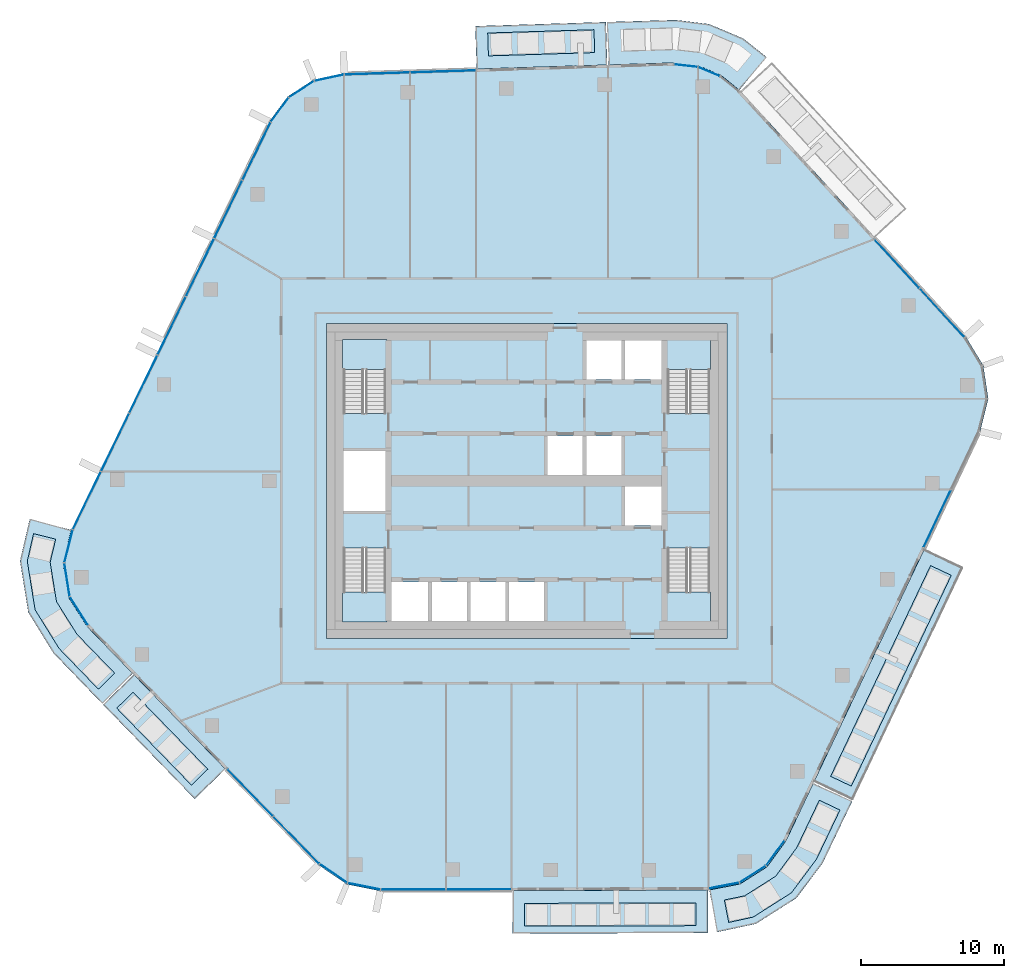
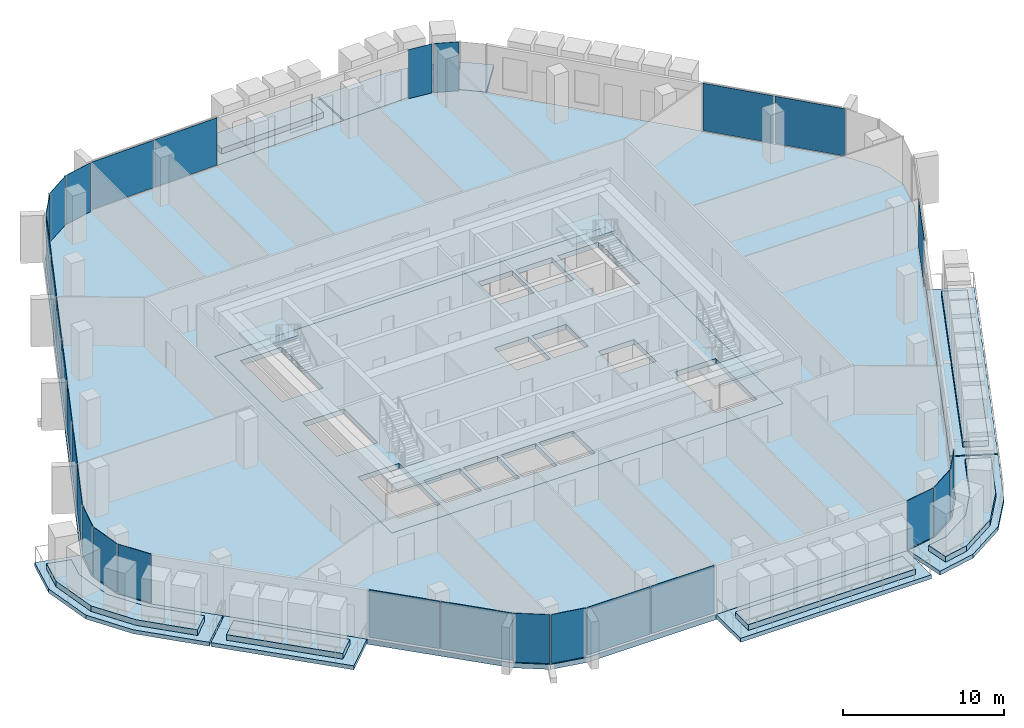
# One storey, part 11 of 24: 29 plates, 19 slabs, 15 elements without a shape of their own.
"""IFC4 building model written with IfcOpenShell, lengths in metres."""

from ifc_helpers import new_model, si_unit, direction, frame, origin, origin_2d, place, context, subcontext, project, spatial, polyline, rectangle, outline, extrude, material, layer, layer_set, type_object, element, aggregate, save


model = new_model("IFC4")

# Units and contexts
model_context = context("Model", 3, precision=1e-05, world=origin(), true_north=direction((0.0, 1.0)))
body_context = subcontext(model_context, "Body", "Model", "MODEL_VIEW")
ifc_project = project(units=[si_unit("LENGTHUNIT", "METRE"), si_unit("AREAUNIT", "SQUARE_METRE"), si_unit("VOLUMEUNIT", "CUBIC_METRE"), si_unit("PLANEANGLEUNIT", "RADIAN"), si_unit("MASSUNIT", "GRAM", prefix="KILO")], contexts=[model_context])

# Site, building, storey
site_placement = place(None, origin())
site = spatial("IfcSite", under=ifc_project, at=site_placement, CompositionType="ELEMENT")
building_placement = place(site_placement, origin())
building = spatial("IfcBuilding", under=site, at=building_placement, Name="Dongbaek Canopy Tower", CompositionType="ELEMENT")
storey_placement = place(building_placement, frame((0.0, 0.0, 348.800048828125)))
storey = spatial("IfcBuildingStorey", under=building, at=storey_placement, Name="L75", CompositionType="ELEMENT", Elevation=348.800048828125)

# Slabs
ifc_material_1 = material(Name="Concrete C40/50", Category="concrete")
ifc_layer_1 = layer(ifc_material_1, 0.300048828125)
ifc_layer_set_1 = layer_set([ifc_layer_1], Name="Balcony slab 300")
slab_type_1 = type_object("IfcSlabType", Name="Balcony slab 300", PredefinedType="FLOOR", material=ifc_layer_set_1)
slab_1_placement = place(storey_placement, frame((0.0, 0.0, -0.300048828125)))
element("IfcSlab", 1, at=slab_1_placement, inside=storey, type_object=slab_type_1, Name="Balcony L75 2", PredefinedType="FLOOR", context=body_context, shape_type="SweptSolid", body=[
    extrude(outline(polyline([(5.638916015625, 29.081298828125), (-3.489990234375, 28.798095703125), (-3.5830078125, 31.796630859375), (5.5458984375, 32.079833984375), (5.638916015625, 29.081298828125)])), origin(), (0.0, 0.0, 1.0), 0.300048828125),
])
slab_2_placement = place(storey_placement, frame((0.0, 0.0, -0.300048828125)))
element("IfcSlab", 2, at=slab_2_placement, inside=storey, type_object=slab_type_1, Name="Balcony L75 6", PredefinedType="FLOOR", context=body_context, shape_type="SweptSolid", body=[
    extrude(outline(polyline([(14.8701171875, 27.318603515625), (13.582763671875, 28.369873046875), (12.0048828125, 29.0341796875), (10.303466796875, 29.225830078125), (5.739013671875, 29.084228515625), (5.64599609375, 32.082763671875), (10.425048828125, 32.223388671875), (12.762451171875, 31.93701171875), (15.12939453125, 30.9404296875), (16.767578125, 29.642333984375), (14.8701171875, 27.318603515625)])), origin(), (0.0, 0.0, 1.0), 0.300048828125),
])
slab_3_placement = place(storey_placement, frame((0.0, 0.0, -0.300048828125)))
element("IfcSlab", 3, at=slab_3_placement, inside=storey, type_object=slab_type_1, Name="Balcony L75 3", PredefinedType="FLOOR", context=body_context, shape_type="SweptSolid", body=[
    extrude(outline(polyline([(-27.45849609375, -13.54345703125), (-21.053955078125, -20.143798828125), (-23.20703125, -22.23291015625), (-29.611572265625, -15.632568359375), (-27.45849609375, -13.54345703125)])), origin(), (0.0, 0.0, 1.0), 0.300048828125),
])
slab_4_placement = place(storey_placement, frame((0.0, 0.0, -0.300048828125)))
element("IfcSlab", 4, at=slab_4_placement, inside=storey, type_object=slab_type_1, Name="Balcony L75 7", PredefinedType="FLOOR", context=body_context, shape_type="SweptSolid", body=[
    extrude(outline(polyline([(-31.833984375, -3.4208984375), (-32.41845703125, -5.725830078125), (-32.03369140625, -8.123046875), (-30.73046875, -10.17138671875), (-27.5283203125, -13.4716796875), (-29.68115234375, -15.560791015625), (-33.084716796875, -12.03076171875), (-34.83837890625, -9.18798828125), (-35.41552734375, -5.592041015625), (-34.741943359375, -2.68359375), (-31.833984375, -3.4208984375)])), origin(), (0.0, 0.0, 1.0), 0.300048828125),
])
slab_5_placement = place(storey_placement, frame((0.0, 0.0, -0.300048828125)))
element("IfcSlab", 5, at=slab_5_placement, inside=storey, type_object=slab_type_1, Name="Balcony L75 4", PredefinedType="FLOOR", context=body_context, shape_type="SweptSolid", body=[
    extrude(outline(polyline([(-0.9921875, -28.6455078125), (12.675537109375, -28.603515625), (12.6845703125, -31.603515625), (-0.98291015625, -31.6455078125), (-0.9921875, -28.6455078125)])), origin(), (0.0, 0.0, 1.0), 0.300048828125),
])
slab_6_placement = place(storey_placement, frame((0.0, 0.0, -0.300048828125)))
element("IfcSlab", 6, at=slab_6_placement, inside=storey, type_object=slab_type_1, Name="Balcony L75 5", PredefinedType="FLOOR", context=body_context, shape_type="SweptSolid", body=[
    extrude(outline(polyline([(20.08935546875, -21.039306640625), (27.8056640625, -4.769775390625), (30.516357421875, -6.05517578125), (22.800048828125, -22.324951171875), (20.08935546875, -21.039306640625)])), origin(), (0.0, 0.0, 1.0), 0.300048828125),
])
slab_7_placement = place(storey_placement, frame((0.0, 0.0, -0.300048828125)))
element("IfcSlab", 7, at=slab_7_placement, inside=storey, type_object=slab_type_1, Name="Balcony L75 8", PredefinedType="FLOOR", context=body_context, shape_type="SweptSolid", body=[
    extrude(outline(polyline([(12.7744140625, -28.593994140625), (14.921630859375, -28.179931640625), (16.809814453125, -26.9814453125), (18.128173828125, -25.174560546875), (20.046630859375, -21.129638671875), (22.757080078125, -22.415283203125), (20.70654296875, -26.708251953125), (18.861328125, -29.17041015625), (16.02880859375, -30.968017578125), (13.3427734375, -31.53955078125), (12.7744140625, -28.593994140625)])), origin(), (0.0, 0.0, 1.0), 0.300048828125),
])

# Curtain wall, plates
ifc_material_2 = material(Name="Aluminium 6063-T6 pale anodised", Category="aluminium")
ifc_layer_2 = layer(ifc_material_2, 0.199951171875)
ifc_layer_set_2 = layer_set([ifc_layer_2], Name="CW-1 unitised tower curtain wall")
curtain_wall_type = type_object("IfcCurtainWallType", Name="CW-1 unitised tower curtain wall", PredefinedType="NOTDEFINED", material=ifc_layer_set_2)
curtain_wall_1_placement = place(storey_placement, origin())
curtain_wall_1 = element("IfcCurtainWall", 8, at=curtain_wall_1_placement, inside=storey, type_object=curtain_wall_type, Name="CW-1 curtain wall F0.1", PredefinedType="NOTDEFINED")
ifc_material_3 = material(Name="Clear laminated glass", Category="glass")
ifc_layer_3 = layer(ifc_material_3, 0.028076171875)
ifc_layer_set_3 = layer_set([ifc_layer_3], Name="CW-1 glazed panel 28")
plate_type = type_object("IfcPlateType", Name="CW-1 glazed panel 28", PredefinedType="CURTAIN_PANEL", material=ifc_layer_set_3)
plate_1_placement = place(storey_placement, frame((29.04833984375, 11.7412109375, 0.119873046875), z_axis=(0.0, 0.0, 1.0), x_axis=(-0.676365053133, 0.736566571941, 0.0)))
plate_1 = element("IfcPlate", 9, at=plate_1_placement, type_object=plate_type, Name="CW-1 panel F0.1.1.1", PredefinedType="CURTAIN_PANEL", context=body_context, shape_type="SweptSolid", body=[
    extrude(rectangle(XDim=4.576904296875, YDim=0.028076171875, at=origin_2d()), origin(), (0.0, 0.0, 1.0), 3.580078125),
])
plate_2_placement = place(storey_placement, frame((25.892578125, 15.177978515625, 0.119873046875), z_axis=(0.0, 0.0, 1.0), x_axis=(-0.676365053133, 0.736566571941, 0.0)))
plate_2 = element("IfcPlate", 10, at=plate_2_placement, type_object=plate_type, Name="CW-1 panel F0.1.2.1", PredefinedType="CURTAIN_PANEL", context=body_context, shape_type="SweptSolid", body=[
    extrude(rectangle(XDim=4.5869140625, YDim=0.028076171875, at=origin_2d()), origin(), (0.0, 0.0, 1.0), 3.580078125),
])
aggregate(curtain_wall_1, [plate_1, plate_2])

curtain_wall_2_placement = place(storey_placement, origin())
curtain_wall_2 = element("IfcCurtainWall", 11, at=curtain_wall_2_placement, inside=storey, type_object=curtain_wall_type, Name="CW-1 curtain wall K1.1", PredefinedType="NOTDEFINED")
plate_3_placement = place(storey_placement, frame((12.7548828125, 28.60986328125, 0.0), z_axis=(0.0, 0.0, 1.0), x_axis=(-0.921649608494, 0.388023194103, 0.0)))
plate_3 = element("IfcPlate", 12, at=plate_3_placement, type_object=plate_type, Name="CW-1 panel K1.1.2.1", PredefinedType="CURTAIN_PANEL", context=body_context, shape_type="SweptSolid", body=[
    extrude(rectangle(XDim=1.599365234375, YDim=0.028076171875, at=origin_2d()), origin(), (0.0, 0.0, 1.0), 3.699951171875),
])
plate_4_placement = place(storey_placement, frame((11.139404296875, 29.03125, 0.0), z_axis=(0.0, 0.0, 1.0), x_axis=(-0.9937170701, 0.111921332156, 0.0)))
plate_4 = element("IfcPlate", 13, at=plate_4_placement, type_object=plate_type, Name="CW-1 panel K1.1.3.1", PredefinedType="CURTAIN_PANEL", context=body_context, shape_type="SweptSolid", body=[
    extrude(rectangle(XDim=1.6064453125, YDim=0.028076171875, at=origin_2d()), origin(), (0.0, 0.0, 1.0), 3.699951171875),
])
aggregate(curtain_wall_2, [plate_3, plate_4])

curtain_wall_3_placement = place(storey_placement, origin())
curtain_wall_3 = element("IfcCurtainWall", 14, at=curtain_wall_3_placement, inside=storey, type_object=curtain_wall_type, Name="CW-1 curtain wall F1.1", PredefinedType="NOTDEFINED")
plate_5_placement = place(storey_placement, frame((-5.843994140625, 28.625, 0.119873046875), z_axis=(0.0, 0.0, 1.0), x_axis=(-0.999519278036, -0.031003432615, 0.0)))
plate_5 = element("IfcPlate", 15, at=plate_5_placement, type_object=plate_type, Name="CW-1 panel F1.1.1.1", PredefinedType="CURTAIN_PANEL", context=body_context, shape_type="SweptSolid", body=[
    extrude(rectangle(XDim=4.53271484375, YDim=0.028076171875, at=origin_2d()), origin(), (0.0, 0.0, 1.0), 3.580078125),
])
plate_6_placement = place(storey_placement, frame((-10.4541015625, 28.48193359375, 0.119873046875), z_axis=(0.0, 0.0, 1.0), x_axis=(-0.999519278036, -0.031003432615, 0.0)))
plate_6 = element("IfcPlate", 16, at=plate_6_placement, type_object=plate_type, Name="CW-1 panel F1.1.2.1", PredefinedType="CURTAIN_PANEL", context=body_context, shape_type="SweptSolid", body=[
    extrude(rectangle(XDim=4.523681640625, YDim=0.028076171875, at=origin_2d()), origin(), (0.0, 0.0, 1.0), 3.580078125),
])
aggregate(curtain_wall_3, [plate_5, plate_6])

curtain_wall_4_placement = place(storey_placement, origin())
curtain_wall_4 = element("IfcCurtainWall", 17, at=curtain_wall_4_placement, inside=storey, type_object=curtain_wall_type, Name="CW-1 curtain wall K2.1", PredefinedType="NOTDEFINED")
plate_7_placement = place(storey_placement, frame((-13.80078125, 28.185546875, 0.0), z_axis=(0.0, 0.0, 1.0), x_axis=(-0.977548529684, -0.210710398681, 0.0)))
plate_7 = element("IfcPlate", 18, at=plate_7_placement, type_object=plate_type, Name="CW-1 panel K2.1.1.1", PredefinedType="CURTAIN_PANEL", context=body_context, shape_type="SweptSolid", body=[
    extrude(rectangle(XDim=2.05224609375, YDim=0.028076171875, at=origin_2d()), origin(), (0.0, 0.0, 1.0), 3.699951171875),
])
plate_8_placement = place(storey_placement, frame((-15.737548828125, 27.382080078125, 0.0), z_axis=(0.0, 0.0, 1.0), x_axis=(-0.839253179974, -0.543740838914, 0.0)))
plate_8 = element("IfcPlate", 19, at=plate_8_placement, type_object=plate_type, Name="CW-1 panel K2.1.2.1", PredefinedType="CURTAIN_PANEL", context=body_context, shape_type="SweptSolid", body=[
    extrude(rectangle(XDim=2.04296875, YDim=0.028076171875, at=origin_2d()), origin(), (0.0, 0.0, 1.0), 3.699951171875),
])
plate_9_placement = place(storey_placement, frame((-17.26220703125, 25.94287109375, 0.0), z_axis=(0.0, 0.0, 1.0), x_axis=(-0.591825645502, -0.806066005564, 0.0)))
plate_9 = element("IfcPlate", 20, at=plate_9_placement, type_object=plate_type, Name="CW-1 panel K2.1.3.1", PredefinedType="CURTAIN_PANEL", context=body_context, shape_type="SweptSolid", body=[
    extrude(rectangle(XDim=2.05224609375, YDim=0.028076171875, at=origin_2d()), origin(), (0.0, 0.0, 1.0), 3.699951171875),
])
aggregate(curtain_wall_4, [plate_7, plate_8, plate_9])

curtain_wall_5_placement = place(storey_placement, origin())
curtain_wall_5 = element("IfcCurtainWall", 21, at=curtain_wall_5_placement, inside=storey, type_object=curtain_wall_type, Name="CW-1 curtain wall F2.1", PredefinedType="NOTDEFINED")
plate_10_placement = place(storey_placement, frame((-18.880859375, 23.050048828125, 0.119873046875), z_axis=(0.0, 0.0, 1.0), x_axis=(-0.436791312067, -0.899562865898, 0.0)))
plate_10 = element("IfcPlate", 22, at=plate_10_placement, type_object=plate_type, Name="CW-1 panel F2.1.1.1", PredefinedType="CURTAIN_PANEL", context=body_context, shape_type="SweptSolid", body=[
    extrude(rectangle(XDim=4.433837890625, YDim=0.028076171875, at=origin_2d()), origin(), (0.0, 0.0, 1.0), 3.580078125),
])
plate_11_placement = place(storey_placement, frame((-20.8564453125, 18.981689453125, 0.119873046875), z_axis=(0.0, 0.0, 1.0), x_axis=(-0.436791312067, -0.899562865898, 0.0)))
plate_11 = element("IfcPlate", 23, at=plate_11_placement, type_object=plate_type, Name="CW-1 panel F2.1.2.1", PredefinedType="CURTAIN_PANEL", context=body_context, shape_type="SweptSolid", body=[
    extrude(rectangle(XDim=4.443115234375, YDim=0.028076171875, at=origin_2d()), origin(), (0.0, 0.0, 1.0), 3.580078125),
])
plate_12_placement = place(storey_placement, frame((-22.833740234375, 14.909423828125, 0.119873046875), z_axis=(0.0, 0.0, 1.0), x_axis=(-0.436791312067, -0.899562865898, 0.0)))
plate_12 = element("IfcPlate", 24, at=plate_12_placement, type_object=plate_type, Name="CW-1 panel F2.1.3.1", PredefinedType="CURTAIN_PANEL", context=body_context, shape_type="SweptSolid", body=[
    extrude(rectangle(XDim=4.443115234375, YDim=0.028076171875, at=origin_2d()), origin(), (0.0, 0.0, 1.0), 3.580078125),
])
plate_13_placement = place(storey_placement, frame((-24.81103515625, 10.837158203125, 0.119873046875), z_axis=(0.0, 0.0, 1.0), x_axis=(-0.436791312067, -0.899562865898, 0.0)))
plate_13 = element("IfcPlate", 25, at=plate_13_placement, type_object=plate_type, Name="CW-1 panel F2.1.4.1", PredefinedType="CURTAIN_PANEL", context=body_context, shape_type="SweptSolid", body=[
    extrude(rectangle(XDim=4.443115234375, YDim=0.028076171875, at=origin_2d()), origin(), (0.0, 0.0, 1.0), 3.580078125),
])
plate_14_placement = place(storey_placement, frame((-26.788330078125, 6.7646484375, 0.119873046875), z_axis=(0.0, 0.0, 1.0), x_axis=(-0.436791312067, -0.899562865898, 0.0)))
plate_14 = element("IfcPlate", 26, at=plate_14_placement, type_object=plate_type, Name="CW-1 panel F2.1.5.1", PredefinedType="CURTAIN_PANEL", context=body_context, shape_type="SweptSolid", body=[
    extrude(rectangle(XDim=4.443115234375, YDim=0.028076171875, at=origin_2d()), origin(), (0.0, 0.0, 1.0), 3.580078125),
])
plate_15_placement = place(storey_placement, frame((-28.765869140625, 2.6923828125, 0.119873046875), z_axis=(0.0, 0.0, 1.0), x_axis=(-0.436791312067, -0.899562865898, 0.0)))
plate_15 = element("IfcPlate", 27, at=plate_15_placement, type_object=plate_type, Name="CW-1 panel F2.1.6.1", PredefinedType="CURTAIN_PANEL", context=body_context, shape_type="SweptSolid", body=[
    extrude(rectangle(XDim=4.443115234375, YDim=0.028076171875, at=origin_2d()), origin(), (0.0, 0.0, 1.0), 3.580078125),
])
plate_16_placement = place(storey_placement, frame((-30.740966796875, -1.375244140625, 0.119873046875), z_axis=(0.0, 0.0, 1.0), x_axis=(-0.436791312067, -0.899562865898, 0.0)))
plate_16 = element("IfcPlate", 28, at=plate_16_placement, type_object=plate_type, Name="CW-1 panel F2.1.7.1", PredefinedType="CURTAIN_PANEL", context=body_context, shape_type="SweptSolid", body=[
    extrude(rectangle(XDim=4.432861328125, YDim=0.028076171875, at=origin_2d()), origin(), (0.0, 0.0, 1.0), 3.580078125),
])
aggregate(curtain_wall_5, [plate_10, plate_11, plate_12, plate_13, plate_14, plate_15, plate_16])

curtain_wall_6_placement = place(storey_placement, origin())
curtain_wall_6 = element("IfcCurtainWall", 29, at=curtain_wall_6_placement, inside=storey, type_object=curtain_wall_type, Name="CW-1 curtain wall K3.1", PredefinedType="NOTDEFINED")
plate_17_placement = place(storey_placement, frame((-32.02197265625, -4.568603515625, 0.0), z_axis=(0.0, 0.0, 1.0), x_axis=(-0.245758469345, -0.969331096553, 0.0)))
plate_17 = element("IfcPlate", 30, at=plate_17_placement, type_object=plate_type, Name="CW-1 panel K3.1.1.1", PredefinedType="CURTAIN_PANEL", context=body_context, shape_type="SweptSolid", body=[
    extrude(rectangle(XDim=2.31298828125, YDim=0.028076171875, at=origin_2d()), origin(), (0.0, 0.0, 1.0), 3.699951171875),
])
plate_18_placement = place(storey_placement, frame((-32.127197265625, -6.908447265625, 0.0), z_axis=(0.0, 0.0, 1.0), x_axis=(0.158480008321, -0.987362186314, 0.0)))
plate_18 = element("IfcPlate", 31, at=plate_18_placement, type_object=plate_type, Name="CW-1 panel K3.1.2.1", PredefinedType="CURTAIN_PANEL", context=body_context, shape_type="SweptSolid", body=[
    extrude(rectangle(XDim=2.302490234375, YDim=0.028076171875, at=origin_2d()), origin(), (0.0, 0.0, 1.0), 3.699951171875),
])
plate_19_placement = place(storey_placement, frame((-31.294921875, -9.097900390625, 0.0), z_axis=(0.0, 0.0, 1.0), x_axis=(0.536769941392, -0.843728647148, 0.0)))
plate_19 = element("IfcPlate", 32, at=plate_19_placement, type_object=plate_type, Name="CW-1 panel K3.1.3.1", PredefinedType="CURTAIN_PANEL", context=body_context, shape_type="SweptSolid", body=[
    extrude(rectangle(XDim=2.31298828125, YDim=0.028076171875, at=origin_2d()), origin(), (0.0, 0.0, 1.0), 3.699951171875),
])
aggregate(curtain_wall_6, [plate_17, plate_18, plate_19])

curtain_wall_7_placement = place(storey_placement, origin())
curtain_wall_7 = element("IfcCurtainWall", 33, at=curtain_wall_7_placement, inside=storey, type_object=curtain_wall_type, Name="CW-1 curtain wall F3.1", PredefinedType="NOTDEFINED")
plate_20_placement = place(storey_placement, frame((-19.328857421875, -21.7783203125, 0.119873046875), z_axis=(0.0, 0.0, 1.0), x_axis=(0.696372585353, -0.717680445859, 0.0)))
plate_20 = element("IfcPlate", 34, at=plate_20_placement, type_object=plate_type, Name="CW-1 panel F3.1.1.1", PredefinedType="CURTAIN_PANEL", context=body_context, shape_type="SweptSolid", body=[
    extrude(rectangle(XDim=4.564453125, YDim=0.028076171875, at=origin_2d()), origin(), (0.0, 0.0, 1.0), 3.580078125),
])
plate_21_placement = place(storey_placement, frame((-16.095458984375, -25.110595703125, 0.119873046875), z_axis=(0.0, 0.0, 1.0), x_axis=(0.696372585353, -0.717680445859, 0.0)))
plate_21 = element("IfcPlate", 35, at=plate_21_placement, type_object=plate_type, Name="CW-1 panel F3.1.2.1", PredefinedType="CURTAIN_PANEL", context=body_context, shape_type="SweptSolid", body=[
    extrude(rectangle(XDim=4.554443359375, YDim=0.028076171875, at=origin_2d()), origin(), (0.0, 0.0, 1.0), 3.580078125),
])
aggregate(curtain_wall_7, [plate_20, plate_21])

curtain_wall_8_placement = place(storey_placement, origin())
curtain_wall_8 = element("IfcCurtainWall", 36, at=curtain_wall_8_placement, inside=storey, type_object=curtain_wall_type, Name="CW-1 curtain wall K4.1", PredefinedType="NOTDEFINED")
plate_22_placement = place(storey_placement, frame((-13.504638671875, -27.442138671875, 0.0), z_axis=(0.0, 0.0, 1.0), x_axis=(0.82557108469, -0.564298134078, 0.0)))
plate_22 = element("IfcPlate", 37, at=plate_22_placement, type_object=plate_type, Name="CW-1 panel K4.1.1.1", PredefinedType="CURTAIN_PANEL", context=body_context, shape_type="SweptSolid", body=[
    extrude(rectangle(XDim=2.280029296875, YDim=0.028076171875, at=origin_2d()), origin(), (0.0, 0.0, 1.0), 3.699951171875),
])
plate_23_placement = place(storey_placement, frame((-11.369873046875, -28.341552734375, 0.0), z_axis=(0.0, 0.0, 1.0), x_axis=(0.980497895661, -0.196529582008, 0.0)))
plate_23 = element("IfcPlate", 38, at=plate_23_placement, type_object=plate_type, Name="CW-1 panel K4.1.2.1", PredefinedType="CURTAIN_PANEL", context=body_context, shape_type="SweptSolid", body=[
    extrude(rectangle(XDim=2.280029296875, YDim=0.028076171875, at=origin_2d()), origin(), (0.0, 0.0, 1.0), 3.699951171875),
])
aggregate(curtain_wall_8, [plate_22, plate_23])

curtain_wall_9_placement = place(storey_placement, origin())
curtain_wall_9 = element("IfcCurtainWall", 39, at=curtain_wall_9_placement, inside=storey, type_object=curtain_wall_type, Name="CW-1 curtain wall F4.1", PredefinedType="NOTDEFINED")
plate_24_placement = place(storey_placement, frame((-7.92138671875, -28.566650390625, 0.119873046875), z_axis=(0.0, 0.0, 1.0), x_axis=(0.999995301035, 0.003065600754, 0.0)))
plate_24 = element("IfcPlate", 40, at=plate_24_placement, type_object=plate_type, Name="CW-1 panel F4.1.1.1", PredefinedType="CURTAIN_PANEL", context=body_context, shape_type="SweptSolid", body=[
    extrude(rectangle(XDim=4.4951171875, YDim=0.028076171875, at=origin_2d()), origin(), (0.0, 0.0, 1.0), 3.580078125),
])
plate_25_placement = place(storey_placement, frame((-3.337158203125, -28.552734375, 0.119873046875), z_axis=(0.0, 0.0, 1.0), x_axis=(0.999995301035, 0.003065600754, 0.0)))
plate_25 = element("IfcPlate", 41, at=plate_25_placement, type_object=plate_type, Name="CW-1 panel F4.1.2.1", PredefinedType="CURTAIN_PANEL", context=body_context, shape_type="SweptSolid", body=[
    extrude(rectangle(XDim=4.505126953125, YDim=0.028076171875, at=origin_2d()), origin(), (0.0, 0.0, 1.0), 3.580078125),
])
aggregate(curtain_wall_9, [plate_24, plate_25])

curtain_wall_10_placement = place(storey_placement, origin())
curtain_wall_10 = element("IfcCurtainWall", 42, at=curtain_wall_10_placement, inside=storey, type_object=curtain_wall_type, Name="CW-1 curtain wall K5.1", PredefinedType="NOTDEFINED")
plate_26_placement = place(storey_placement, frame((13.7998046875, -28.29443359375, 0.0), z_axis=(0.0, 0.0, 1.0), x_axis=(0.981901223522, 0.189393736027, 0.0)))
plate_26 = element("IfcPlate", 43, at=plate_26_placement, type_object=plate_type, Name="CW-1 panel K5.1.1.1", PredefinedType="CURTAIN_PANEL", context=body_context, shape_type="SweptSolid", body=[
    extrude(rectangle(XDim=2.124267578125, YDim=0.028076171875, at=origin_2d()), origin(), (0.0, 0.0, 1.0), 3.699951171875),
])
plate_27_placement = place(storey_placement, frame((15.812255859375, -27.49609375, 0.0), z_axis=(0.0, 0.0, 1.0), x_axis=(0.844319285797, 0.535840408733, 0.0)))
plate_27 = element("IfcPlate", 44, at=plate_27_placement, type_object=plate_type, Name="CW-1 panel K5.1.2.1", PredefinedType="CURTAIN_PANEL", context=body_context, shape_type="SweptSolid", body=[
    extrude(rectangle(XDim=2.11474609375, YDim=0.028076171875, at=origin_2d()), origin(), (0.0, 0.0, 1.0), 3.699951171875),
])
plate_28_placement = place(storey_placement, frame((17.39111328125, -26.01513671875, 0.0), z_axis=(0.0, 0.0, 1.0), x_axis=(0.589415732916, 0.80782986686, 0.0)))
plate_28 = element("IfcPlate", 45, at=plate_28_placement, type_object=plate_type, Name="CW-1 panel K5.1.3.1", PredefinedType="CURTAIN_PANEL", context=body_context, shape_type="SweptSolid", body=[
    extrude(rectangle(XDim=2.124267578125, YDim=0.028076171875, at=origin_2d()), origin(), (0.0, 0.0, 1.0), 3.699951171875),
])
aggregate(curtain_wall_10, [plate_26, plate_27, plate_28])

# Curtain wall, plate
curtain_wall_11_placement = place(storey_placement, origin())
curtain_wall_11 = element("IfcCurtainWall", 46, at=curtain_wall_11_placement, inside=storey, type_object=curtain_wall_type, Name="CW-1 curtain wall F5.1", PredefinedType="NOTDEFINED")
plate_29_placement = place(storey_placement, frame((28.706787109375, -2.63671875, 0.119873046875), z_axis=(0.0, 0.0, 1.0), x_axis=(0.428521992738, 0.903531350723, 0.0)))
plate_29 = element("IfcPlate", 47, at=plate_29_placement, type_object=plate_type, Name="CW-1 panel F5.1.1.1", PredefinedType="CURTAIN_PANEL", context=body_context, shape_type="SweptSolid", body=[
    extrude(rectangle(XDim=4.442626953125, YDim=0.028076171875, at=origin_2d()), origin(), (0.0, 0.0, 1.0), 3.580078125),
])
aggregate(curtain_wall_11, [plate_29])

# Slab
ifc_material_4 = material(Name="Concrete C40/50", Category="concrete")
ifc_layer_4 = layer(ifc_material_4, 0.3798828125)
ifc_layer_set_4 = layer_set([ifc_layer_4], Name="Core floor slab 380 Concrete C40/50")
slab_type_2 = type_object("IfcSlabType", Name="Core floor slab 380 Concrete C40/50", PredefinedType="FLOOR", material=ifc_layer_set_4)
slab_8_placement = place(storey_placement, frame((0.0, 0.0, -0.380126953125)))
element("IfcSlab", 48, at=slab_8_placement, inside=storey, type_object=slab_type_2, Name="Core floor slab L75", PredefinedType="FLOOR", context=body_context, shape_type="SweptSolid", body=[
    extrude(outline(polyline([(14.0, -11.0), (14.0, 11.0), (-14.0, 11.0), (-14.0, -11.0), (14.0, -11.0)]), holes=[polyline([(-12.800048828125, 2.10009765625), (-9.85009765625, 2.10009765625), (-9.85009765625, -2.10009765625), (-12.800048828125, -2.10009765625), (-12.800048828125, 2.10009765625)]), polyline([(6.625, 9.800048828125), (6.625, 7.074951171875), (4.175048828125, 7.074951171875), (4.175048828125, 9.800048828125), (6.625, 9.800048828125)]), polyline([(9.449951171875, 7.074951171875), (6.875, 7.074951171875), (6.875, 9.800048828125), (9.449951171875, 9.800048828125), (9.449951171875, 7.074951171875)]), polyline([(1.47509765625, 3.125), (3.925048828125, 3.125), (3.925048828125, 0.39990234375), (1.47509765625, 0.39990234375), (1.47509765625, 3.125)]), polyline([(4.175048828125, 0.39990234375), (4.175048828125, 3.125), (6.625, 3.125), (6.625, 0.39990234375), (4.175048828125, 0.39990234375)]), polyline([(9.449951171875, -3.125), (6.875, -3.125), (6.875, -0.39990234375), (9.449951171875, -0.39990234375), (9.449951171875, -3.125)]), polyline([(-9.449951171875, -7.074951171875), (-6.875, -7.074951171875), (-6.875, -9.800048828125), (-9.449951171875, -9.800048828125), (-9.449951171875, -7.074951171875)]), polyline([(-6.625, -9.800048828125), (-6.625, -7.074951171875), (-4.175048828125, -7.074951171875), (-4.175048828125, -9.800048828125), (-6.625, -9.800048828125)]), polyline([(-3.925048828125, -9.800048828125), (-3.925048828125, -7.074951171875), (-1.47509765625, -7.074951171875), (-1.47509765625, -9.800048828125), (-3.925048828125, -9.800048828125)]), polyline([(-1.22509765625, -9.800048828125), (-1.22509765625, -7.074951171875), (1.22509765625, -7.074951171875), (1.22509765625, -9.800048828125), (-1.22509765625, -9.800048828125)]), polyline([(12.800048828125, 4.70068359375), (12.800048828125, 9.800048828125), (9.85009765625, 9.800048828125), (9.85009765625, 4.70068359375), (12.800048828125, 4.70068359375)]), polyline([(-9.85009765625, 4.70068359375), (-9.85009765625, 9.800048828125), (-12.800048828125, 9.800048828125), (-12.800048828125, 4.70068359375), (-9.85009765625, 4.70068359375)]), polyline([(9.85009765625, -4.70068359375), (9.85009765625, -9.800048828125), (12.800048828125, -9.800048828125), (12.800048828125, -4.70068359375), (9.85009765625, -4.70068359375)]), polyline([(-12.800048828125, -4.70068359375), (-12.800048828125, -9.800048828125), (-9.85009765625, -9.800048828125), (-9.85009765625, -4.70068359375), (-12.800048828125, -4.70068359375)])]), origin(), (0.0, 0.0, 1.0), 0.380126953125),
])

# Stair, slab
ifc_material_5 = material(Name="Concrete C40/50", Category="concrete")
stair_type = type_object("IfcStairType", Name="Core exit stair", PredefinedType="HALF_TURN_STAIR", material=ifc_material_5)
stair_1_placement = place(storey_placement, origin())
stair_1 = element("IfcStair", 49, at=stair_1_placement, inside=storey, type_object=stair_type, Name="L75 exit stair A", PredefinedType="HALF_TURN_STAIR")
ifc_material_6 = material(Name="Concrete C40/50", Category="concrete")
ifc_layer_5 = layer(ifc_material_6, 0.199951171875)
ifc_layer_set_5 = layer_set([ifc_layer_5], Name="Core stair landing 200")
slab_type_3 = type_object("IfcSlabType", Name="Core stair landing 200", PredefinedType="LANDING", material=ifc_layer_set_5)
slab_9_placement = place(storey_placement, frame((0.0, 0.0, 1.89990234375)))
slab_9 = element("IfcSlab", 50, at=slab_9_placement, type_object=slab_type_3, Name="ST-A landing 1", PredefinedType="LANDING", context=body_context, shape_type="SweptSolid", body=[
    extrude(outline(polyline([(12.875, 7.780029296875), (12.875, 9.875), (9.77490234375, 9.875), (9.77490234375, 7.780029296875), (12.875, 7.780029296875)])), origin(), (0.0, 0.0, 1.0), 0.199951171875),
])
aggregate(stair_1, [slab_9])

stair_2_placement = place(storey_placement, origin())
stair_2 = element("IfcStair", 51, at=stair_2_placement, inside=storey, type_object=stair_type, Name="L75 exit stair C", PredefinedType="HALF_TURN_STAIR")
slab_10_placement = place(storey_placement, frame((0.0, 0.0, 1.89990234375)))
slab_10 = element("IfcSlab", 52, at=slab_10_placement, type_object=slab_type_3, Name="ST-C landing 1", PredefinedType="LANDING", context=body_context, shape_type="SweptSolid", body=[
    extrude(outline(polyline([(-9.77490234375, 7.780029296875), (-9.77490234375, 9.875), (-12.875, 9.875), (-12.875, 7.780029296875), (-9.77490234375, 7.780029296875)])), origin(), (0.0, 0.0, 1.0), 0.199951171875),
])
aggregate(stair_2, [slab_10])

stair_3_placement = place(storey_placement, origin())
stair_3 = element("IfcStair", 53, at=stair_3_placement, inside=storey, type_object=stair_type, Name="L75 exit stair B", PredefinedType="HALF_TURN_STAIR")
slab_11_placement = place(storey_placement, frame((0.0, 0.0, 1.89990234375)))
slab_11 = element("IfcSlab", 54, at=slab_11_placement, type_object=slab_type_3, Name="ST-B landing 1", PredefinedType="LANDING", context=body_context, shape_type="SweptSolid", body=[
    extrude(outline(polyline([(9.77490234375, -7.780029296875), (9.77490234375, -9.875), (12.875, -9.875), (12.875, -7.780029296875), (9.77490234375, -7.780029296875)])), origin(), (0.0, 0.0, 1.0), 0.199951171875),
])
aggregate(stair_3, [slab_11])

stair_4_placement = place(storey_placement, origin())
stair_4 = element("IfcStair", 55, at=stair_4_placement, inside=storey, type_object=stair_type, Name="L75 exit stair D", PredefinedType="HALF_TURN_STAIR")
slab_12_placement = place(storey_placement, frame((0.0, 0.0, 1.89990234375)))
slab_12 = element("IfcSlab", 56, at=slab_12_placement, type_object=slab_type_3, Name="ST-D landing 1", PredefinedType="LANDING", context=body_context, shape_type="SweptSolid", body=[
    extrude(outline(polyline([(-12.875, -7.780029296875), (-12.875, -9.875), (-9.77490234375, -9.875), (-9.77490234375, -7.780029296875), (-12.875, -7.780029296875)])), origin(), (0.0, 0.0, 1.0), 0.199951171875),
])
aggregate(stair_4, [slab_12])

# Slabs
ifc_material_7 = material(Name="Concrete C40", Category="concrete")
ifc_layer_6 = layer(ifc_material_7, 0.3798828125)
ifc_layer_set_6 = layer_set([ifc_layer_6], Name="RC FLAT PLATE 380 Concrete C40")
slab_type_4 = type_object("IfcSlabType", Name="RC FLAT PLATE 380 Concrete C40", PredefinedType="FLOOR", material=ifc_layer_set_6)
slab_13_placement = place(storey_placement, frame((0.0, 0.0, -0.380126953125)))
element("IfcSlab", 57, at=slab_13_placement, inside=storey, type_object=slab_type_4, Name="SLAB:L75", PredefinedType="FLOOR", context=body_context, shape_type="SweptSolid", body=[
    extrude(outline(polyline([(18.128173828125, -25.174560546875), (16.809814453125, -26.9814453125), (14.92138671875, -28.1796875), (12.725341796875, -28.603515625), (-10.220703125, -28.673828125), (-12.568359375, -28.203125), (-14.545166015625, -26.85205078125), (-30.73046875, -10.17138671875), (-32.03369140625, -8.123046875), (-32.41845703125, -5.725830078125), (-31.82177734375, -3.372314453125), (-17.980224609375, 25.1337890625), (-16.69970703125, 26.8779296875), (-14.8837890625, 28.05419921875), (-12.768798828125, 28.51025390625), (10.303466796875, 29.225830078125), (12.0048828125, 29.0341796875), (13.582763671875, 28.369873046875), (14.90869140625, 27.287109375), (30.705078125, 10.0849609375), (31.9267578125, 8.070556640625), (32.27880859375, 5.740966796875), (31.706787109375, 3.45556640625), (18.128173828125, -25.174560546875)]), holes=[polyline([(14.0, 11.0), (-14.0, 11.0), (-14.0, -11.0), (14.0, -11.0), (14.0, 11.0)])]), origin(), (0.0, 0.0, 1.0), 0.380126953125),
])
ifc_material_8 = material(Name="Reinforced concrete C40/50 planter box with soil", Category="concrete")
ifc_layer_7 = layer(ifc_material_8, 0.419921875)
ifc_layer_set_7 = layer_set([ifc_layer_7], Name="Terrace planter box 1600 x 420")
slab_type_5 = type_object("IfcSlabType", Name="Terrace planter box 1600 x 420", PredefinedType="USERDEFINED", material=ifc_layer_set_7)
slab_14_placement = place(storey_placement, origin())
element("IfcSlab", 58, at=slab_14_placement, inside=storey, type_object=slab_type_5, Name="Balcony planter L75 2", ObjectType="PLANTER", PredefinedType="USERDEFINED", context=body_context, shape_type="SweptSolid", body=[
    extrude(outline(polyline([(4.76171875, 29.9443359375), (-2.66796875, 29.7138671875), (-2.717529296875, 31.313232421875), (4.712158203125, 31.543701171875), (4.76171875, 29.9443359375)])), origin(), (0.0, 0.0, 1.0), 0.419921875),
])
slab_15_placement = place(storey_placement, origin())
element("IfcSlab", 59, at=slab_15_placement, inside=storey, type_object=slab_type_5, Name="Balcony planter L75 3", ObjectType="PLANTER", PredefinedType="USERDEFINED", context=body_context, shape_type="SweptSolid", body=[
    extrude(outline(polyline([(-27.50537109375, -14.773193359375), (-22.28466796875, -20.153564453125), (-23.43310546875, -21.267822265625), (-28.653564453125, -15.887451171875), (-27.50537109375, -14.773193359375)])), origin(), (0.0, 0.0, 1.0), 0.419921875),
])
slab_16_placement = place(storey_placement, origin())
element("IfcSlab", 60, at=slab_16_placement, inside=storey, type_object=slab_type_5, Name="Balcony planter L75 7", ObjectType="PLANTER", PredefinedType="USERDEFINED", context=body_context, shape_type="SweptSolid", body=[
    extrude(outline(polyline([(-32.91796875, -4.074462890625), (-33.3076171875, -5.68603515625), (-32.86572265625, -8.43896484375), (-31.428955078125, -10.722900390625), (-28.793701171875, -13.445556640625), (-29.94189453125, -14.559814453125), (-32.6845703125, -11.714599609375), (-34.361572265625, -9.0068359375), (-34.906005859375, -5.61474609375), (-34.46875, -3.681396484375), (-32.91796875, -4.074462890625)])), origin(), (0.0, 0.0, 1.0), 0.419921875),
])
slab_17_placement = place(storey_placement, origin())
element("IfcSlab", 61, at=slab_17_placement, inside=storey, type_object=slab_type_5, Name="Balcony planter L75 4", ObjectType="PLANTER", PredefinedType="USERDEFINED", context=body_context, shape_type="SweptSolid", body=[
    extrude(outline(polyline([(-0.139404296875, -29.532958984375), (11.828125, -29.49609375), (11.8330078125, -31.09619140625), (-0.134521484375, -31.1328125), (-0.139404296875, -29.532958984375)])), origin(), (0.0, 0.0, 1.0), 0.419921875),
])
slab_18_placement = place(storey_placement, origin())
element("IfcSlab", 62, at=slab_18_placement, inside=storey, type_object=slab_type_5, Name="Balcony planter L75 5", ObjectType="PLANTER", PredefinedType="USERDEFINED", context=body_context, shape_type="SweptSolid", body=[
    extrude(outline(polyline([(21.2578125, -20.65283203125), (28.24560546875, -5.9189453125), (29.69140625, -6.604736328125), (22.703369140625, -21.33837890625), (21.2578125, -20.65283203125)])), origin(), (0.0, 0.0, 1.0), 0.419921875),
])
slab_19_placement = place(storey_placement, origin())
element("IfcSlab", 63, at=slab_19_placement, inside=storey, type_object=slab_type_5, Name="Balcony planter L75 8", ObjectType="PLANTER", PredefinedType="USERDEFINED", context=body_context, shape_type="SweptSolid", body=[
    extrude(outline(polyline([(13.826904296875, -29.29736328125), (15.25, -29.007080078125), (17.41845703125, -27.630859375), (18.89306640625, -25.629638671875), (20.465087890625, -22.32421875), (21.91064453125, -23.010009765625), (20.268310546875, -26.447509765625), (18.5126953125, -28.798095703125), (15.840576171875, -30.494140625), (14.1298828125, -30.868408203125), (13.826904296875, -29.29736328125)])), origin(), (0.0, 0.0, 1.0), 0.419921875),
])

save(model, "model.ifc")
